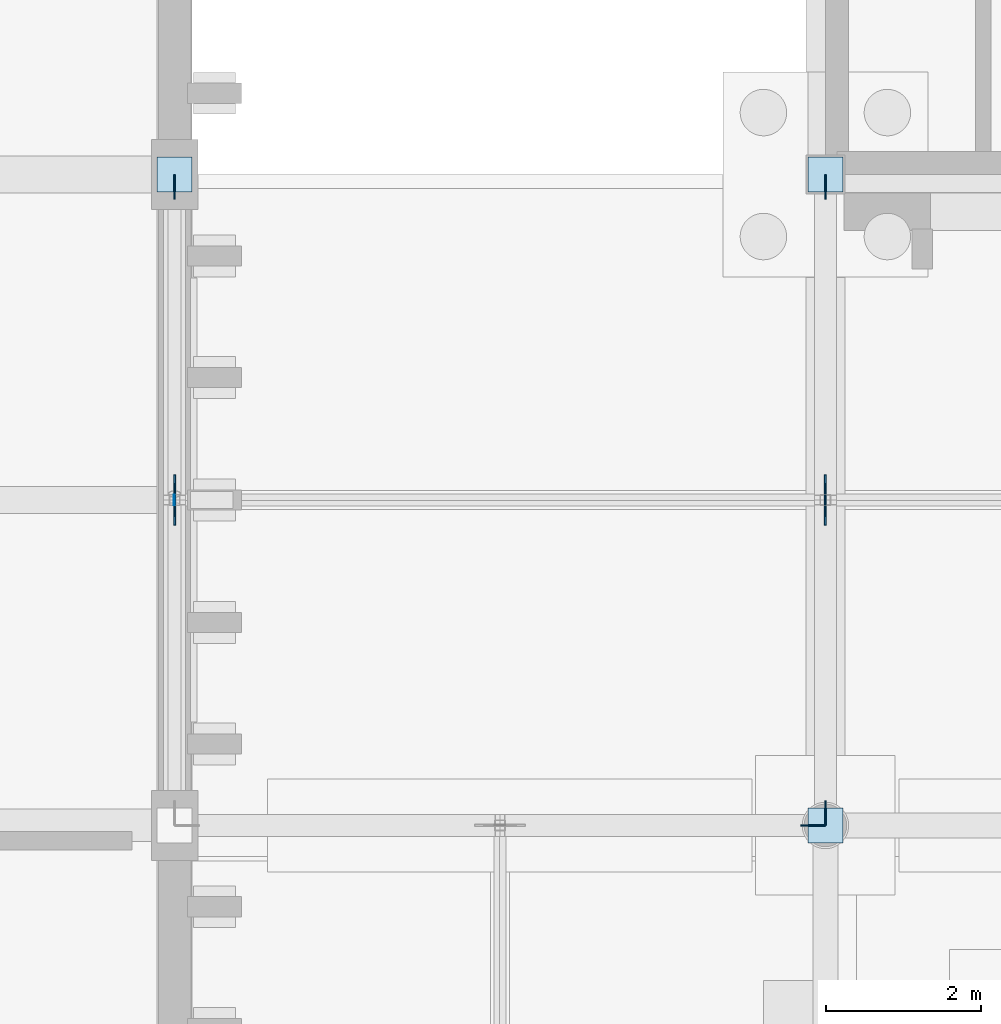
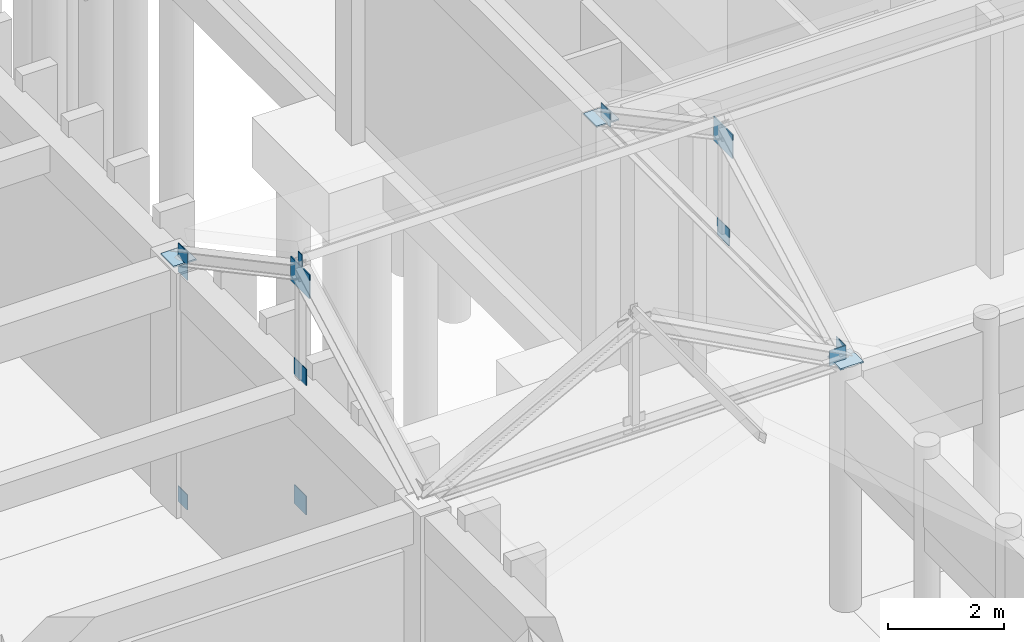
# One storey, part 99 of 143: 15 plates.
"""IFC4 building model written with IfcOpenShell, lengths in metres."""

from ifc_helpers import new_model, si_unit, direction, frame, origin, origin_2d, place, context, subcontext, project, spatial, rectangle, extrude, material, layer, layer_set, type_object, element, save


model = new_model("IFC4")

# Units and contexts
model_context = context("Model", 3, precision=1e-05, world=origin(), true_north=direction((0.0, 1.0)))
body_context = subcontext(model_context, "Body", "Model", "MODEL_VIEW")
ifc_project = project(units=[si_unit("LENGTHUNIT", "METRE"), si_unit("AREAUNIT", "SQUARE_METRE"), si_unit("VOLUMEUNIT", "CUBIC_METRE"), si_unit("PLANEANGLEUNIT", "RADIAN"), si_unit("MASSUNIT", "GRAM", prefix="KILO")], contexts=[model_context])

# Site, building, storey
site_placement = place(None, origin())
site = spatial("IfcSite", under=ifc_project, at=site_placement, CompositionType="ELEMENT")
building_placement = place(site_placement, origin())
building = spatial("IfcBuilding", under=site, at=building_placement, Name="Kveldsbrygga Polytechnic", CompositionType="ELEMENT")
storey_placement = place(building_placement, origin())
storey = spatial("IfcBuildingStorey", under=building, at=storey_placement, Name="L00", CompositionType="ELEMENT", Elevation=0.0)

# Plates
ifc_material = material(Name="Steel S355", Category="steel")
ifc_layer_1 = layer(ifc_material, 0.030029296875)
ifc_layer_set_1 = layer_set([ifc_layer_1], Name="Steel S355")
plate_type_1 = type_object("IfcPlateType", Name="CAP-BEAR-450", PredefinedType="SHEET", material=ifc_layer_set_1)
for number, where, z_axis, x_axis, name in (
    (1, (33.60009765625, 84.0, 5.10986328125), (0.0, 0.0, 1.0), (1.0, 0.0, 0.0), "Truss Bearing Plate ARC-WN-T01-B"),
    (2, (42.0, 75.60009765625, 5.10986328125), (0.0, 0.0, 1.0), (1.0, 0.0, 0.0), "Truss Bearing Plate ARC-WN-T02-A"),
    (3, (42.0, 84.0, 5.10986328125), (0.0, 0.0, 1.0), (1.0, 0.0, 0.0), "Truss Bearing Plate ARC-WN-T02-B"),
):
    element("IfcPlate", number, at=place(storey_placement, frame(where, z_axis=z_axis, x_axis=x_axis)), inside=storey, type_object=plate_type_1, Name=name, PredefinedType="SHEET", context=body_context, shape_type="SweptSolid", body=[
        extrude(rectangle(XDim=0.449951171875, YDim=0.449951171875, at=origin_2d()), origin(), (0.0, 0.0, 1.0), 0.030029296875),
    ])
ifc_layer_2 = layer(ifc_material, 0.011962890625)
ifc_layer_set_2 = layer_set([ifc_layer_2], Name="Steel S355")
plate_type_2 = type_object("IfcPlateType", Name="CAP-PRL-200", PredefinedType="SHEET", material=ifc_layer_set_2)
plate_1_placement = place(storey_placement, frame((33.593994140625, 79.800048828125, 7.513671875), z_axis=(0.0, 0.0, 1.0), x_axis=(1.0, 0.0, 0.0)))
element("IfcPlate", 4, at=plate_1_placement, inside=storey, type_object=plate_type_2, Name="Purlin End Cap Plate ARC-WN-EP-A-1", PredefinedType="SHEET", context=body_context, shape_type="SweptSolid", body=[
    extrude(rectangle(XDim=0.011962890625, YDim=0.139892578125, at=origin_2d()), origin(), (0.0, 0.0, 1.0), 0.239990234375),
])
ifc_layer_3 = layer(ifc_material, 0.02490234375)
ifc_layer_set_3 = layer_set([ifc_layer_3], Name="Steel S355")
plate_type_3 = type_object("IfcPlateType", Name="GUS-APEX-650", PredefinedType="SHEET", material=ifc_layer_set_3)
for number, where, z_axis, x_axis, name in (
    (5, (33.60009765625, 79.800048828125, 6.989990234375), (0.0, 0.0, 1.0), (1.0, 0.0, 0.0), "Truss Gusset Plate ARC-WN-T01-GP-1"),
    (6, (42.0, 79.800048828125, 6.989990234375), (0.0, 0.0, 1.0), (1.0, 0.0, 0.0), "Truss Gusset Plate ARC-WN-T02-GP-1"),
):
    element("IfcPlate", number, at=place(storey_placement, frame(where, z_axis=z_axis, x_axis=x_axis)), inside=storey, type_object=plate_type_3, Name=name, PredefinedType="SHEET", context=body_context, shape_type="SweptSolid", body=[
        extrude(rectangle(XDim=0.02490234375, YDim=0.64990234375, at=origin_2d()), origin(), (0.0, 0.0, 1.0), 0.5),
    ])
ifc_layer_4 = layer(ifc_material, 0.01806640625)
ifc_layer_set_4 = layer_set([ifc_layer_4], Name="Steel S355")
plate_type_4 = type_object("IfcPlateType", Name="GUS-BRACE-320", PredefinedType="SHEET", material=ifc_layer_set_4)
for number, where, z_axis, x_axis, name in (
    (7, (33.60009765625, 83.840087890625, 5.10009765625), (0.0, 0.0, 1.0), (1.0, 0.0, 0.0), "Truss Eaves Node Gusset ARC-WN-T01-EGP-B"),
    (8, (42.0, 75.760009765625, 5.10009765625), (0.0, 0.0, 1.0), (1.0, 0.0, 0.0), "Truss Eaves Node Gusset ARC-WN-T02-EGP-A"),
    (9, (42.0, 83.840087890625, 5.10009765625), (0.0, 0.0, 1.0), (1.0, 0.0, 0.0), "Truss Eaves Node Gusset ARC-WN-T02-EGP-B"),
):
    element("IfcPlate", number, at=place(storey_placement, frame(where, z_axis=z_axis, x_axis=x_axis)), inside=storey, type_object=plate_type_4, Name=name, PredefinedType="SHEET", context=body_context, shape_type="SweptSolid", body=[
        extrude(rectangle(XDim=0.01806640625, YDim=0.320068359375, at=origin_2d()), origin(), (0.0, 0.0, 1.0), 0.320068359375),
    ])
plate_2_placement = place(storey_placement, frame((41.840087890625, 75.60009765625, 5.10009765625), z_axis=(0.0, 0.0, 1.0), x_axis=(1.0, 0.0, 0.0)))
element("IfcPlate", 10, at=plate_2_placement, inside=storey, type_object=plate_type_4, Name="Truss Eaves Node Gusset ARC-WW-T06-EGP-B", PredefinedType="SHEET", context=body_context, shape_type="SweptSolid", body=[
    extrude(rectangle(XDim=0.320068359375, YDim=0.01806640625, at=origin_2d()), origin(), (0.0, 0.0, 1.0), 0.320068359375),
])
for number, where, z_axis, x_axis, name in (
    (11, (33.60009765625, 83.840087890625, 4.81982421875), (0.0, 0.0, 1.0), (1.0, 0.0, 0.0), "Portal Brace End Gusset XGP-VBR-L00-E-9-2"),
    (12, (33.60009765625, 83.840087890625, 0.0), (0.0, 0.0, 1.0), (1.0, 0.0, 0.0), "Portal Brace End Gusset XGP-VBR-L00-E-9-3"),
):
    element("IfcPlate", number, at=place(storey_placement, frame(where, z_axis=z_axis, x_axis=x_axis)), inside=storey, type_object=plate_type_4, Name=name, PredefinedType="SHEET", context=body_context, shape_type="SweptSolid", body=[
        extrude(rectangle(XDim=0.01806640625, YDim=0.320068359375, at=origin_2d()), origin(), (0.0, 0.0, 1.0), 0.320068359375),
    ])
ifc_layer_5 = layer(ifc_material, 0.02001953125)
ifc_layer_set_5 = layer_set([ifc_layer_5], Name="Steel S355")
plate_type_5 = type_object("IfcPlateType", Name="GUS-LECT-420", PredefinedType="SHEET", material=ifc_layer_set_5)
for number, where, z_axis, x_axis, name in (
    (13, (33.60009765625, 79.800048828125, 5.0849609375), (0.0, 0.0, 1.0), (1.0, 0.0, 0.0), "Truss Bottom-Chord Node Gusset ARC-WN-T01-BGP-1"),
    (14, (42.0, 79.800048828125, 5.0849609375), (0.0, 0.0, 1.0), (1.0, 0.0, 0.0), "Truss Bottom-Chord Node Gusset ARC-WN-T02-BGP-1"),
):
    element("IfcPlate", number, at=place(storey_placement, frame(where, z_axis=z_axis, x_axis=x_axis)), inside=storey, type_object=plate_type_5, Name=name, PredefinedType="SHEET", context=body_context, shape_type="SweptSolid", body=[
        extrude(rectangle(XDim=0.02001953125, YDim=0.419921875, at=origin_2d()), origin(), (0.0, 0.0, 1.0), 0.35009765625),
    ])
ifc_layer_6 = layer(ifc_material, 0.02001953125)
ifc_layer_set_6 = layer_set([ifc_layer_6], Name="Steel S355")
plate_type_6 = type_object("IfcPlateType", Name="GUS-XBRACE-400", PredefinedType="SHEET", material=ifc_layer_set_6)
plate_3_placement = place(storey_placement, frame((33.60009765625, 79.800048828125, 2.3701171875), z_axis=(0.0, 0.0, 1.0), x_axis=(1.0, 0.0, 0.0)))
element("IfcPlate", 15, at=plate_3_placement, inside=storey, type_object=plate_type_6, Name="Portal X-Brace Crossing Gusset XGP-VBR-L00-E-9-C", PredefinedType="SHEET", context=body_context, shape_type="SweptSolid", body=[
    extrude(rectangle(XDim=0.02001953125, YDim=0.39990234375, at=origin_2d()), origin(), (0.0, 0.0, 1.0), 0.39990234375),
])

save(model, "model.ifc")
